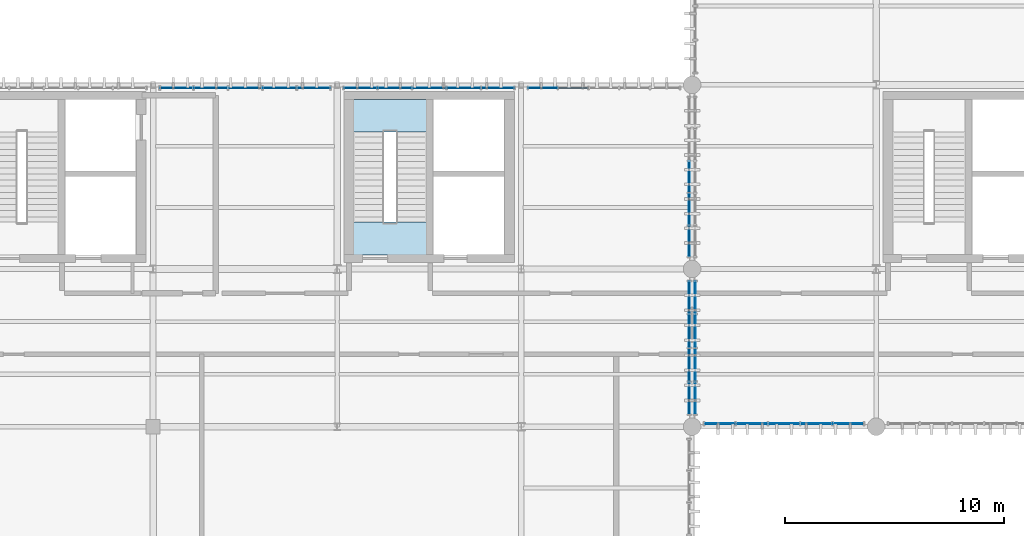
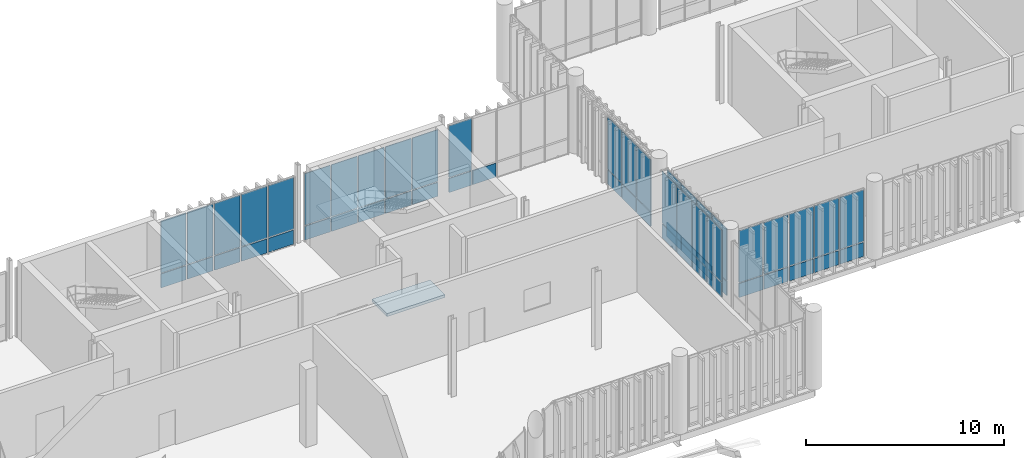
# One storey, part 68 of 94: 55 plates, 2 slabs, 8 elements without a shape of their own.
"""IFC4 building model written with IfcOpenShell, lengths in metres."""

from ifc_helpers import new_model, si_unit, direction, frame, frame_2d, origin_with_axes, place, context, subcontext, project, spatial, polyline, rectangle, outline, extrude, material, layer, layer_set, type_object, element, aggregate, save


model = new_model("IFC4")

# Units and contexts
model_context = context("Model", 3, precision=1e-05, world=origin_with_axes(), true_north=direction((0.0, 1.0)))
body_context = subcontext(model_context, "Body", "Model", "MODEL_VIEW")
ifc_project = project(units=[si_unit("LENGTHUNIT", "METRE"), si_unit("AREAUNIT", "SQUARE_METRE"), si_unit("VOLUMEUNIT", "CUBIC_METRE"), si_unit("PLANEANGLEUNIT", "RADIAN"), si_unit("MASSUNIT", "GRAM", prefix="KILO"), si_unit("THERMODYNAMICTEMPERATUREUNIT", "KELVIN")], contexts=[model_context])

# Site, building, storey
site_placement = place(None, origin_with_axes())
site = spatial("IfcSite", under=ifc_project, at=site_placement, CompositionType="ELEMENT")
building_placement = place(site_placement, origin_with_axes())
building = spatial("IfcBuilding", under=site, at=building_placement, Name="Montbau Bow Law Courts", CompositionType="ELEMENT")
storey_placement = place(building_placement, frame((0.0, 0.0, 15.6), z_axis=(0.0, 0.0, 1.0), x_axis=(1.0, 0.0, 0.0)))
storey = spatial("IfcBuildingStorey", under=building, at=storey_placement, Name="L03", CompositionType="ELEMENT", Elevation=15.6)

# Curtain wall, plates
ifc_material_1 = material(Name="Thermally Broken Extruded Aluminium AA 6063-T6", Category="aluminium")
curtain_wall_type_1 = type_object("IfcCurtainWallType", Name="CW-TRC-01", PredefinedType="NOTDEFINED", material=ifc_material_1)
curtain_wall_1_placement = place(None, frame((22.467, 54.46, 15.6), z_axis=(0.0, 0.0, 1.0), x_axis=(1.0, 0.0, 0.0)))
curtain_wall_1 = element("IfcCurtainWall", 1, at=curtain_wall_1_placement, inside=storey, type_object=curtain_wall_type_1, Name="CW-L03-057:cw_0057", PredefinedType="NOTDEFINED")
ifc_material_2 = material(Name="Triple-Glazed Low-E Argon Insulating Glass Unit", Category="glass")
ifc_layer_1 = layer(ifc_material_2, 0.044, Name="Curtain Panel", Category="glass")
ifc_layer_set_1 = layer_set([ifc_layer_1], Name="Triple-Glazed Low-E Argon Insulating Glass Unit")
plate_type_1 = type_object("IfcPlateType", Name="PL-CWP-01", PredefinedType="CURTAIN_PANEL", material=ifc_layer_set_1)
plate_1_placement = place(None, frame((22.543, 54.46, 16.579), z_axis=(0.0, -1.0, 0.0), x_axis=(1.0, 0.0, 0.0)))
plate_1 = element("IfcPlate", 2, at=plate_1_placement, type_object=plate_type_1, Name="CW-L03-057-P01-2:cw_0057_P01_2", PredefinedType="CURTAIN_PANEL", context=body_context, shape_type="SweptSolid", body=[
    extrude(rectangle(XDim=1.457, YDim=3.185, at=frame_2d((0.7285, 1.5925), x_axis=(1.0, 0.0))), frame((0.0, 0.0, -0.022), z_axis=(0.0, 0.0, 1.0), x_axis=(1.0, 0.0, 0.0)), (0.0, 0.0, 1.0), 0.044),
])
plate_2_placement = place(None, frame((24.08, 54.46, 16.579), z_axis=(0.0, -1.0, 0.0), x_axis=(1.0, 0.0, 0.0)))
plate_2 = element("IfcPlate", 3, at=plate_2_placement, type_object=plate_type_1, Name="CW-L03-057-P02-2:cw_0057_P02_2", PredefinedType="CURTAIN_PANEL", context=body_context, shape_type="SweptSolid", body=[
    extrude(rectangle(XDim=1.494, YDim=3.185, at=frame_2d((0.747, 1.5925), x_axis=(1.0, 0.0))), frame((0.0, 0.0, -0.022), z_axis=(0.0, 0.0, 1.0), x_axis=(1.0, 0.0, 0.0)), (0.0, 0.0, 1.0), 0.044),
])
plate_3_placement = place(None, frame((25.652, 54.46, 16.579), z_axis=(0.0, -1.0, 0.0), x_axis=(1.0, 0.0, 0.0)))
plate_3 = element("IfcPlate", 4, at=plate_3_placement, type_object=plate_type_1, Name="CW-L03-057-P03-2:cw_0057_P03_2", PredefinedType="CURTAIN_PANEL", context=body_context, shape_type="SweptSolid", body=[
    extrude(rectangle(XDim=1.496, YDim=3.185, at=frame_2d((0.748, 1.5925), x_axis=(1.0, 0.0))), frame((0.0, 0.0, -0.022), z_axis=(0.0, 0.0, 1.0), x_axis=(1.0, 0.0, 0.0)), (0.0, 0.0, 1.0), 0.044),
])
plate_4_placement = place(None, frame((27.226, 54.46, 16.579), z_axis=(0.0, -1.0, 0.0), x_axis=(1.0, 0.0, 0.0)))
plate_4 = element("IfcPlate", 5, at=plate_4_placement, type_object=plate_type_1, Name="CW-L03-057-P04-2:cw_0057_P04_2", PredefinedType="CURTAIN_PANEL", context=body_context, shape_type="SweptSolid", body=[
    extrude(rectangle(XDim=1.495, YDim=3.185, at=frame_2d((0.7475, 1.5925), x_axis=(1.0, 0.0))), frame((0.0, 0.0, -0.022), z_axis=(0.0, 0.0, 1.0), x_axis=(1.0, 0.0, 0.0)), (0.0, 0.0, 1.0), 0.044),
])
plate_5_placement = place(None, frame((28.799, 54.46, 16.579), z_axis=(0.0, -1.0, 0.0), x_axis=(1.0, 0.0, 0.0)))
plate_5 = element("IfcPlate", 6, at=plate_5_placement, type_object=plate_type_1, Name="CW-L03-057-P05-2:cw_0057_P05_2", PredefinedType="CURTAIN_PANEL", context=body_context, shape_type="SweptSolid", body=[
    extrude(rectangle(XDim=1.458, YDim=3.185, at=frame_2d((0.729, 1.5925), x_axis=(1.0, 0.0))), frame((0.0, 0.0, -0.022), z_axis=(0.0, 0.0, 1.0), x_axis=(1.0, 0.0, 0.0)), (0.0, 0.0, 1.0), 0.044),
])

curtain_wall_2_placement = place(None, frame((30.867, 54.46, 15.6), z_axis=(0.0, 0.0, 1.0), x_axis=(1.0, 0.0, 0.0)))
curtain_wall_2 = element("IfcCurtainWall", 7, at=curtain_wall_2_placement, inside=storey, type_object=curtain_wall_type_1, Name="CW-L03-058:cw_0058", PredefinedType="NOTDEFINED")
plate_6_placement = place(None, frame((30.935, 54.46, 16.582), z_axis=(0.0, -1.0, 0.0), x_axis=(1.0, 0.0, 0.0)))
plate_6 = element("IfcPlate", 8, at=plate_6_placement, type_object=plate_type_1, Name="CW-L03-058-P01-2:cw_0058_P01_2", PredefinedType="CURTAIN_PANEL", context=body_context, shape_type="SweptSolid", body=[
    extrude(rectangle(XDim=1.47, YDim=3.176, at=frame_2d((0.735, 1.588), x_axis=(1.0, 0.0))), frame((0.0, 0.0, -0.022), z_axis=(0.0, 0.0, 1.0), x_axis=(1.0, 0.0, 0.0)), (0.0, 0.0, 1.0), 0.044),
])
plate_7_placement = place(None, frame((32.474, 54.46, 16.582), z_axis=(0.0, -1.0, 0.0), x_axis=(1.0, 0.0, 0.0)))
plate_7 = element("IfcPlate", 9, at=plate_7_placement, type_object=plate_type_1, Name="CW-L03-058-P02-2:cw_0058_P02_2", PredefinedType="CURTAIN_PANEL", context=body_context, shape_type="SweptSolid", body=[
    extrude(rectangle(XDim=1.504, YDim=3.176, at=frame_2d((0.752, 1.588), x_axis=(1.0, 0.0))), frame((0.0, 0.0, -0.022), z_axis=(0.0, 0.0, 1.0), x_axis=(1.0, 0.0, 0.0)), (0.0, 0.0, 1.0), 0.044),
])
plate_8_placement = place(None, frame((34.047, 54.46, 16.582), z_axis=(0.0, -1.0, 0.0), x_axis=(1.0, 0.0, 0.0)))
plate_8 = element("IfcPlate", 10, at=plate_8_placement, type_object=plate_type_1, Name="CW-L03-058-P03-2:cw_0058_P03_2", PredefinedType="CURTAIN_PANEL", context=body_context, shape_type="SweptSolid", body=[
    extrude(rectangle(XDim=1.505, YDim=3.176, at=frame_2d((0.7525, 1.588), x_axis=(1.0, 0.0))), frame((0.0, 0.0, -0.022), z_axis=(0.0, 0.0, 1.0), x_axis=(1.0, 0.0, 0.0)), (0.0, 0.0, 1.0), 0.044),
])
plate_9_placement = place(None, frame((35.62, 54.46, 16.582), z_axis=(0.0, -1.0, 0.0), x_axis=(1.0, 0.0, 0.0)))
plate_9 = element("IfcPlate", 11, at=plate_9_placement, type_object=plate_type_1, Name="CW-L03-058-P04-2:cw_0058_P04_2", PredefinedType="CURTAIN_PANEL", context=body_context, shape_type="SweptSolid", body=[
    extrude(rectangle(XDim=1.505, YDim=3.176, at=frame_2d((0.7525, 1.588), x_axis=(1.0, 0.0))), frame((0.0, 0.0, -0.022), z_axis=(0.0, 0.0, 1.0), x_axis=(1.0, 0.0, 0.0)), (0.0, 0.0, 1.0), 0.044),
])
plate_10_placement = place(None, frame((37.193, 54.46, 16.582), z_axis=(0.0, -1.0, 0.0), x_axis=(1.0, 0.0, 0.0)))
plate_10 = element("IfcPlate", 12, at=plate_10_placement, type_object=plate_type_1, Name="CW-L03-058-P05-2:cw_0058_P05_2", PredefinedType="CURTAIN_PANEL", context=body_context, shape_type="SweptSolid", body=[
    extrude(rectangle(XDim=1.472, YDim=3.176, at=frame_2d((0.736, 1.588), x_axis=(1.0, 0.0))), frame((0.0, 0.0, -0.022), z_axis=(0.0, 0.0, 1.0), x_axis=(1.0, 0.0, 0.0)), (0.0, 0.0, 1.0), 0.044),
])

# Curtain wall, plate
curtain_wall_3_placement = place(None, frame((39.268, 54.46, 15.6), z_axis=(0.0, 0.0, 1.0), x_axis=(1.0, 0.0, 0.0)))
curtain_wall_3 = element("IfcCurtainWall", 13, at=curtain_wall_3_placement, inside=storey, type_object=curtain_wall_type_1, Name="CW-L03-059:cw_0059", PredefinedType="NOTDEFINED")
plate_11_placement = place(None, frame((39.33, 54.46, 16.579), z_axis=(0.0, -1.0, 0.0), x_axis=(1.0, 0.0, 0.0)))
plate_11 = element("IfcPlate", 14, at=plate_11_placement, type_object=plate_type_1, Name="CW-L03-059-P01-2:cw_0059_P01_2", PredefinedType="CURTAIN_PANEL", context=body_context, shape_type="SweptSolid", body=[
    extrude(rectangle(XDim=1.309, YDim=3.185, at=frame_2d((0.6545, 1.5925), x_axis=(1.0, 0.0))), frame((0.0, 0.0, -0.022), z_axis=(0.0, 0.0, 1.0), x_axis=(1.0, 0.0, 0.0)), (0.0, 0.0, 1.0), 0.044),
])

# Curtain wall, plates
curtain_wall_4_placement = place(None, frame((46.66, 39.515, 15.6), z_axis=(0.0, 0.0, 1.0), x_axis=(1.0, 0.0, 0.0)))
curtain_wall_4 = element("IfcCurtainWall", 15, at=curtain_wall_4_placement, inside=storey, type_object=curtain_wall_type_1, Name="CW-L03-064:cw_0064", PredefinedType="NOTDEFINED")
plate_12_placement = place(None, frame((46.66, 39.583, 16.582), z_axis=(1.0, 0.0, 0.0), x_axis=(0.0, 1.0, 0.0)))
plate_12 = element("IfcPlate", 16, at=plate_12_placement, type_object=plate_type_1, Name="CW-L03-064-P01-2:cw_0064_P01_2", PredefinedType="CURTAIN_PANEL", context=body_context, shape_type="SweptSolid", body=[
    extrude(rectangle(XDim=1.44, YDim=3.176, at=frame_2d((0.72, 1.588), x_axis=(1.0, 0.0))), frame((0.0, 0.0, -0.022), z_axis=(0.0, 0.0, 1.0), x_axis=(1.0, 0.0, 0.0)), (0.0, 0.0, 1.0), 0.044),
])
plate_13_placement = place(None, frame((46.66, 41.092, 16.582), z_axis=(1.0, 0.0, 0.0), x_axis=(0.0, 1.0, 0.0)))
plate_13 = element("IfcPlate", 17, at=plate_13_placement, type_object=plate_type_1, Name="CW-L03-064-P02-2:cw_0064_P02_2", PredefinedType="CURTAIN_PANEL", context=body_context, shape_type="SweptSolid", body=[
    extrude(rectangle(XDim=1.473, YDim=3.176, at=frame_2d((0.7365, 1.588), x_axis=(1.0, 0.0))), frame((0.0, 0.0, -0.022), z_axis=(0.0, 0.0, 1.0), x_axis=(1.0, 0.0, 0.0)), (0.0, 0.0, 1.0), 0.044),
])
plate_14_placement = place(None, frame((46.66, 42.634, 16.582), z_axis=(1.0, 0.0, 0.0), x_axis=(0.0, 1.0, 0.0)))
plate_14 = element("IfcPlate", 18, at=plate_14_placement, type_object=plate_type_1, Name="CW-L03-064-P03-2:cw_0064_P03_2", PredefinedType="CURTAIN_PANEL", context=body_context, shape_type="SweptSolid", body=[
    extrude(rectangle(XDim=1.475, YDim=3.176, at=frame_2d((0.7375, 1.588), x_axis=(1.0, 0.0))), frame((0.0, 0.0, -0.022), z_axis=(0.0, 0.0, 1.0), x_axis=(1.0, 0.0, 0.0)), (0.0, 0.0, 1.0), 0.044),
])
plate_15_placement = place(None, frame((46.66, 44.177, 16.582), z_axis=(1.0, 0.0, 0.0), x_axis=(0.0, 1.0, 0.0)))
plate_15 = element("IfcPlate", 19, at=plate_15_placement, type_object=plate_type_1, Name="CW-L03-064-P04-2:cw_0064_P04_2", PredefinedType="CURTAIN_PANEL", context=body_context, shape_type="SweptSolid", body=[
    extrude(rectangle(XDim=1.442, YDim=3.176, at=frame_2d((0.721, 1.588), x_axis=(1.0, 0.0))), frame((0.0, 0.0, -0.022), z_axis=(0.0, 0.0, 1.0), x_axis=(1.0, 0.0, 0.0)), (0.0, 0.0, 1.0), 0.044),
])

curtain_wall_5_placement = place(None, frame((46.66, 46.715, 15.6), z_axis=(0.0, 0.0, 1.0), x_axis=(1.0, 0.0, 0.0)))
curtain_wall_5 = element("IfcCurtainWall", 20, at=curtain_wall_5_placement, inside=storey, type_object=curtain_wall_type_1, Name="CW-L03-065:cw_0065", PredefinedType="NOTDEFINED")
plate_16_placement = place(None, frame((46.66, 46.777, 16.579), z_axis=(1.0, 0.0, 0.0), x_axis=(0.0, 1.0, 0.0)))
plate_16 = element("IfcPlate", 21, at=plate_16_placement, type_object=plate_type_1, Name="CW-L03-065-P01-2:cw_0065_P01_2", PredefinedType="CURTAIN_PANEL", context=body_context, shape_type="SweptSolid", body=[
    extrude(rectangle(XDim=1.38, YDim=3.185, at=frame_2d((0.69, 1.5925), x_axis=(1.0, 0.0))), frame((0.0, 0.0, -0.022), z_axis=(0.0, 0.0, 1.0), x_axis=(1.0, 0.0, 0.0)), (0.0, 0.0, 1.0), 0.044),
])
plate_17_placement = place(None, frame((46.66, 48.221, 16.579), z_axis=(1.0, 0.0, 0.0), x_axis=(0.0, 1.0, 0.0)))
plate_17 = element("IfcPlate", 22, at=plate_17_placement, type_object=plate_type_1, Name="CW-L03-065-P02-2:cw_0065_P02_2", PredefinedType="CURTAIN_PANEL", context=body_context, shape_type="SweptSolid", body=[
    extrude(rectangle(XDim=1.41, YDim=3.185, at=frame_2d((0.705, 1.5925), x_axis=(1.0, 0.0))), frame((0.0, 0.0, -0.022), z_axis=(0.0, 0.0, 1.0), x_axis=(1.0, 0.0, 0.0)), (0.0, 0.0, 1.0), 0.044),
])
plate_18_placement = place(None, frame((46.66, 49.695, 16.579), z_axis=(1.0, 0.0, 0.0), x_axis=(0.0, 1.0, 0.0)))
plate_18 = element("IfcPlate", 23, at=plate_18_placement, type_object=plate_type_1, Name="CW-L03-065-P03-2:cw_0065_P03_2", PredefinedType="CURTAIN_PANEL", context=body_context, shape_type="SweptSolid", body=[
    extrude(rectangle(XDim=1.41, YDim=3.185, at=frame_2d((0.705, 1.5925), x_axis=(1.0, 0.0))), frame((0.0, 0.0, -0.022), z_axis=(0.0, 0.0, 1.0), x_axis=(1.0, 0.0, 0.0)), (0.0, 0.0, 1.0), 0.044),
])

curtain_wall_type_2 = type_object("IfcCurtainWallType", Name="CW-CRM-01", PredefinedType="NOTDEFINED", material=ifc_material_1)
curtain_wall_6_placement = place(None, frame((47.315, 39.14, 15.6), z_axis=(0.0, 0.0, 1.0), x_axis=(1.0, 0.0, 0.0)))
curtain_wall_6 = element("IfcCurtainWall", 24, at=curtain_wall_6_placement, inside=storey, type_object=curtain_wall_type_2, Name="CW-L03-175:cw_0175", PredefinedType="NOTDEFINED")
plate_19_placement = place(None, frame((47.383, 39.14, 16.579), z_axis=(0.0, -1.0, 0.0), x_axis=(1.0, 0.0, 0.0)))
plate_19 = element("IfcPlate", 25, at=plate_19_placement, type_object=plate_type_1, Name="CW-L03-175-P01-2:cw_0175_P01_2", PredefinedType="CURTAIN_PANEL", context=body_context, shape_type="SweptSolid", body=[
    extrude(rectangle(XDim=1.372, YDim=3.185, at=frame_2d((0.686, 1.5925), x_axis=(1.0, 0.0))), frame((0.0, 0.0, -0.022), z_axis=(0.0, 0.0, 1.0), x_axis=(1.0, 0.0, 0.0)), (0.0, 0.0, 1.0), 0.044),
])
plate_20_placement = place(None, frame((48.823, 39.14, 16.579), z_axis=(0.0, -1.0, 0.0), x_axis=(1.0, 0.0, 0.0)))
plate_20 = element("IfcPlate", 26, at=plate_20_placement, type_object=plate_type_1, Name="CW-L03-175-P02-2:cw_0175_P02_2", PredefinedType="CURTAIN_PANEL", context=body_context, shape_type="SweptSolid", body=[
    extrude(rectangle(XDim=1.405, YDim=3.185, at=frame_2d((0.7025, 1.5925), x_axis=(1.0, 0.0))), frame((0.0, 0.0, -0.022), z_axis=(0.0, 0.0, 1.0), x_axis=(1.0, 0.0, 0.0)), (0.0, 0.0, 1.0), 0.044),
])
plate_21_placement = place(None, frame((50.297, 39.14, 16.579), z_axis=(0.0, -1.0, 0.0), x_axis=(1.0, 0.0, 0.0)))
plate_21 = element("IfcPlate", 27, at=plate_21_placement, type_object=plate_type_1, Name="CW-L03-175-P03-2:cw_0175_P03_2", PredefinedType="CURTAIN_PANEL", context=body_context, shape_type="SweptSolid", body=[
    extrude(rectangle(XDim=1.406, YDim=3.185, at=frame_2d((0.703, 1.5925), x_axis=(1.0, 0.0))), frame((0.0, 0.0, -0.022), z_axis=(0.0, 0.0, 1.0), x_axis=(1.0, 0.0, 0.0)), (0.0, 0.0, 1.0), 0.044),
])
plate_22_placement = place(None, frame((51.771, 39.14, 16.579), z_axis=(0.0, -1.0, 0.0), x_axis=(1.0, 0.0, 0.0)))
plate_22 = element("IfcPlate", 28, at=plate_22_placement, type_object=plate_type_1, Name="CW-L03-175-P04-2:cw_0175_P04_2", PredefinedType="CURTAIN_PANEL", context=body_context, shape_type="SweptSolid", body=[
    extrude(rectangle(XDim=1.406, YDim=3.185, at=frame_2d((0.703, 1.5925), x_axis=(1.0, 0.0))), frame((0.0, 0.0, -0.022), z_axis=(0.0, 0.0, 1.0), x_axis=(1.0, 0.0, 0.0)), (0.0, 0.0, 1.0), 0.044),
])
plate_23_placement = place(None, frame((53.245, 39.14, 16.579), z_axis=(0.0, -1.0, 0.0), x_axis=(1.0, 0.0, 0.0)))
plate_23 = element("IfcPlate", 29, at=plate_23_placement, type_object=plate_type_1, Name="CW-L03-175-P05-2:cw_0175_P05_2", PredefinedType="CURTAIN_PANEL", context=body_context, shape_type="SweptSolid", body=[
    extrude(rectangle(XDim=1.374, YDim=3.185, at=frame_2d((0.687, 1.5925), x_axis=(1.0, 0.0))), frame((0.0, 0.0, -0.022), z_axis=(0.0, 0.0, 1.0), x_axis=(1.0, 0.0, 0.0)), (0.0, 0.0, 1.0), 0.044),
])

curtain_wall_7_placement = place(None, frame((46.94, 39.515, 15.6), z_axis=(0.0, 0.0, 1.0), x_axis=(1.0, 0.0, 0.0)))
curtain_wall_7 = element("IfcCurtainWall", 30, at=curtain_wall_7_placement, inside=storey, type_object=curtain_wall_type_2, Name="CW-L03-187:cw_0187", PredefinedType="NOTDEFINED")
plate_24_placement = place(None, frame((46.94, 39.583, 16.579), z_axis=(1.0, 0.0, 0.0), x_axis=(0.0, 1.0, 0.0)))
plate_24 = element("IfcPlate", 31, at=plate_24_placement, type_object=plate_type_1, Name="CW-L03-187-P01-2:cw_0187_P01_2", PredefinedType="CURTAIN_PANEL", context=body_context, shape_type="SweptSolid", body=[
    extrude(rectangle(XDim=1.44, YDim=3.185, at=frame_2d((0.72, 1.5925), x_axis=(1.0, 0.0))), frame((0.0, 0.0, -0.022), z_axis=(0.0, 0.0, 1.0), x_axis=(1.0, 0.0, 0.0)), (0.0, 0.0, 1.0), 0.044),
])
plate_25_placement = place(None, frame((46.94, 41.092, 16.579), z_axis=(1.0, 0.0, 0.0), x_axis=(0.0, 1.0, 0.0)))
plate_25 = element("IfcPlate", 32, at=plate_25_placement, type_object=plate_type_1, Name="CW-L03-187-P02-2:cw_0187_P02_2", PredefinedType="CURTAIN_PANEL", context=body_context, shape_type="SweptSolid", body=[
    extrude(rectangle(XDim=1.473, YDim=3.185, at=frame_2d((0.7365, 1.5925), x_axis=(1.0, 0.0))), frame((0.0, 0.0, -0.022), z_axis=(0.0, 0.0, 1.0), x_axis=(1.0, 0.0, 0.0)), (0.0, 0.0, 1.0), 0.044),
])
plate_26_placement = place(None, frame((46.94, 42.634, 16.579), z_axis=(1.0, 0.0, 0.0), x_axis=(0.0, 1.0, 0.0)))
plate_26 = element("IfcPlate", 33, at=plate_26_placement, type_object=plate_type_1, Name="CW-L03-187-P03-2:cw_0187_P03_2", PredefinedType="CURTAIN_PANEL", context=body_context, shape_type="SweptSolid", body=[
    extrude(rectangle(XDim=1.475, YDim=3.185, at=frame_2d((0.7375, 1.5925), x_axis=(1.0, 0.0))), frame((0.0, 0.0, -0.022), z_axis=(0.0, 0.0, 1.0), x_axis=(1.0, 0.0, 0.0)), (0.0, 0.0, 1.0), 0.044),
])
plate_27_placement = place(None, frame((46.94, 44.177, 16.579), z_axis=(1.0, 0.0, 0.0), x_axis=(0.0, 1.0, 0.0)))
plate_27 = element("IfcPlate", 34, at=plate_27_placement, type_object=plate_type_1, Name="CW-L03-187-P04-2:cw_0187_P04_2", PredefinedType="CURTAIN_PANEL", context=body_context, shape_type="SweptSolid", body=[
    extrude(rectangle(XDim=1.442, YDim=3.185, at=frame_2d((0.721, 1.5925), x_axis=(1.0, 0.0))), frame((0.0, 0.0, -0.022), z_axis=(0.0, 0.0, 1.0), x_axis=(1.0, 0.0, 0.0)), (0.0, 0.0, 1.0), 0.044),
])

# Plate
ifc_material_3 = material(Name="Insulated Ceramic-Frit Spandrel Glazing Unit", Category="glass")
ifc_layer_2 = layer(ifc_material_3, 0.056, Name="Curtain Panel", Category="glass")
ifc_layer_set_2 = layer_set([ifc_layer_2], Name="Insulated Ceramic-Frit Spandrel Glazing Unit")
plate_type_2 = type_object("IfcPlateType", Name="PL-CWP-02", PredefinedType="CURTAIN_PANEL", material=ifc_layer_set_2)
plate_28_placement = place(None, frame((22.543, 54.46, 15.657), z_axis=(0.0, -1.0, 0.0), x_axis=(1.0, 0.0, 0.0)))
plate_28 = element("IfcPlate", 35, at=plate_28_placement, type_object=plate_type_2, Name="CW-L03-057-P01-1:cw_0057_P01_1", PredefinedType="CURTAIN_PANEL", context=body_context, shape_type="SweptSolid", body=[
    extrude(rectangle(XDim=1.457, YDim=0.864, at=frame_2d((0.7285, 0.432), x_axis=(1.0, 0.0))), frame((0.0, 0.0, -0.028), z_axis=(0.0, 0.0, 1.0), x_axis=(1.0, 0.0, 0.0)), (0.0, 0.0, 1.0), 0.056),
])

plate_29_placement = place(None, frame((24.08, 54.46, 15.657), z_axis=(0.0, -1.0, 0.0), x_axis=(1.0, 0.0, 0.0)))
plate_29 = element("IfcPlate", 36, at=plate_29_placement, type_object=plate_type_2, Name="CW-L03-057-P02-1:cw_0057_P02_1", PredefinedType="CURTAIN_PANEL", context=body_context, shape_type="SweptSolid", body=[
    extrude(rectangle(XDim=1.494, YDim=0.864, at=frame_2d((0.747, 0.432), x_axis=(1.0, 0.0))), frame((0.0, 0.0, -0.028), z_axis=(0.0, 0.0, 1.0), x_axis=(1.0, 0.0, 0.0)), (0.0, 0.0, 1.0), 0.056),
])

plate_30_placement = place(None, frame((25.652, 54.46, 15.657), z_axis=(0.0, -1.0, 0.0), x_axis=(1.0, 0.0, 0.0)))
plate_30 = element("IfcPlate", 37, at=plate_30_placement, type_object=plate_type_2, Name="CW-L03-057-P03-1:cw_0057_P03_1", PredefinedType="CURTAIN_PANEL", context=body_context, shape_type="SweptSolid", body=[
    extrude(rectangle(XDim=1.496, YDim=0.864, at=frame_2d((0.748, 0.432), x_axis=(1.0, 0.0))), frame((0.0, 0.0, -0.028), z_axis=(0.0, 0.0, 1.0), x_axis=(1.0, 0.0, 0.0)), (0.0, 0.0, 1.0), 0.056),
])

plate_31_placement = place(None, frame((27.226, 54.46, 15.657), z_axis=(0.0, -1.0, 0.0), x_axis=(1.0, 0.0, 0.0)))
plate_31 = element("IfcPlate", 38, at=plate_31_placement, type_object=plate_type_2, Name="CW-L03-057-P04-1:cw_0057_P04_1", PredefinedType="CURTAIN_PANEL", context=body_context, shape_type="SweptSolid", body=[
    extrude(rectangle(XDim=1.495, YDim=0.864, at=frame_2d((0.7475, 0.432), x_axis=(1.0, 0.0))), frame((0.0, 0.0, -0.028), z_axis=(0.0, 0.0, 1.0), x_axis=(1.0, 0.0, 0.0)), (0.0, 0.0, 1.0), 0.056),
])

plate_32_placement = place(None, frame((28.799, 54.46, 15.657), z_axis=(0.0, -1.0, 0.0), x_axis=(1.0, 0.0, 0.0)))
plate_32 = element("IfcPlate", 39, at=plate_32_placement, type_object=plate_type_2, Name="CW-L03-057-P05-1:cw_0057_P05_1", PredefinedType="CURTAIN_PANEL", context=body_context, shape_type="SweptSolid", body=[
    extrude(rectangle(XDim=1.458, YDim=0.864, at=frame_2d((0.729, 0.432), x_axis=(1.0, 0.0))), frame((0.0, 0.0, -0.028), z_axis=(0.0, 0.0, 1.0), x_axis=(1.0, 0.0, 0.0)), (0.0, 0.0, 1.0), 0.056),
])

aggregate(curtain_wall_1, [plate_28, plate_1, plate_29, plate_2, plate_30, plate_3, plate_31, plate_4, plate_32, plate_5])

plate_33_placement = place(None, frame((30.935, 54.46, 15.662), z_axis=(0.0, -1.0, 0.0), x_axis=(1.0, 0.0, 0.0)))
plate_33 = element("IfcPlate", 40, at=plate_33_placement, type_object=plate_type_2, Name="CW-L03-058-P01-1:cw_0058_P01_1", PredefinedType="CURTAIN_PANEL", context=body_context, shape_type="SweptSolid", body=[
    extrude(rectangle(XDim=1.47, YDim=0.856, at=frame_2d((0.735, 0.428), x_axis=(1.0, 0.0))), frame((0.0, 0.0, -0.028), z_axis=(0.0, 0.0, 1.0), x_axis=(1.0, 0.0, 0.0)), (0.0, 0.0, 1.0), 0.056),
])

plate_34_placement = place(None, frame((32.474, 54.46, 15.662), z_axis=(0.0, -1.0, 0.0), x_axis=(1.0, 0.0, 0.0)))
plate_34 = element("IfcPlate", 41, at=plate_34_placement, type_object=plate_type_2, Name="CW-L03-058-P02-1:cw_0058_P02_1", PredefinedType="CURTAIN_PANEL", context=body_context, shape_type="SweptSolid", body=[
    extrude(rectangle(XDim=1.504, YDim=0.856, at=frame_2d((0.752, 0.428), x_axis=(1.0, 0.0))), frame((0.0, 0.0, -0.028), z_axis=(0.0, 0.0, 1.0), x_axis=(1.0, 0.0, 0.0)), (0.0, 0.0, 1.0), 0.056),
])

plate_35_placement = place(None, frame((34.047, 54.46, 15.662), z_axis=(0.0, -1.0, 0.0), x_axis=(1.0, 0.0, 0.0)))
plate_35 = element("IfcPlate", 42, at=plate_35_placement, type_object=plate_type_2, Name="CW-L03-058-P03-1:cw_0058_P03_1", PredefinedType="CURTAIN_PANEL", context=body_context, shape_type="SweptSolid", body=[
    extrude(rectangle(XDim=1.505, YDim=0.856, at=frame_2d((0.7525, 0.428), x_axis=(1.0, 0.0))), frame((0.0, 0.0, -0.028), z_axis=(0.0, 0.0, 1.0), x_axis=(1.0, 0.0, 0.0)), (0.0, 0.0, 1.0), 0.056),
])

plate_36_placement = place(None, frame((35.62, 54.46, 15.662), z_axis=(0.0, -1.0, 0.0), x_axis=(1.0, 0.0, 0.0)))
plate_36 = element("IfcPlate", 43, at=plate_36_placement, type_object=plate_type_2, Name="CW-L03-058-P04-1:cw_0058_P04_1", PredefinedType="CURTAIN_PANEL", context=body_context, shape_type="SweptSolid", body=[
    extrude(rectangle(XDim=1.505, YDim=0.856, at=frame_2d((0.7525, 0.428), x_axis=(1.0, 0.0))), frame((0.0, 0.0, -0.028), z_axis=(0.0, 0.0, 1.0), x_axis=(1.0, 0.0, 0.0)), (0.0, 0.0, 1.0), 0.056),
])

plate_37_placement = place(None, frame((37.193, 54.46, 15.662), z_axis=(0.0, -1.0, 0.0), x_axis=(1.0, 0.0, 0.0)))
plate_37 = element("IfcPlate", 44, at=plate_37_placement, type_object=plate_type_2, Name="CW-L03-058-P05-1:cw_0058_P05_1", PredefinedType="CURTAIN_PANEL", context=body_context, shape_type="SweptSolid", body=[
    extrude(rectangle(XDim=1.472, YDim=0.856, at=frame_2d((0.736, 0.428), x_axis=(1.0, 0.0))), frame((0.0, 0.0, -0.028), z_axis=(0.0, 0.0, 1.0), x_axis=(1.0, 0.0, 0.0)), (0.0, 0.0, 1.0), 0.056),
])

aggregate(curtain_wall_2, [plate_33, plate_6, plate_34, plate_7, plate_35, plate_8, plate_36, plate_9, plate_37, plate_10])

plate_38_placement = place(None, frame((39.33, 54.46, 15.657), z_axis=(0.0, -1.0, 0.0), x_axis=(1.0, 0.0, 0.0)))
plate_38 = element("IfcPlate", 45, at=plate_38_placement, type_object=plate_type_2, Name="CW-L03-059-P01-1:cw_0059_P01_1", PredefinedType="CURTAIN_PANEL", context=body_context, shape_type="SweptSolid", body=[
    extrude(rectangle(XDim=1.309, YDim=0.864, at=frame_2d((0.6545, 0.432), x_axis=(1.0, 0.0))), frame((0.0, 0.0, -0.028), z_axis=(0.0, 0.0, 1.0), x_axis=(1.0, 0.0, 0.0)), (0.0, 0.0, 1.0), 0.056),
])

plate_39_placement = place(None, frame((40.703, 54.46, 15.657), z_axis=(0.0, -1.0, 0.0), x_axis=(1.0, 0.0, 0.0)))
plate_39 = element("IfcPlate", 46, at=plate_39_placement, type_object=plate_type_2, Name="CW-L03-059-P02-1:cw_0059_P02_1", PredefinedType="CURTAIN_PANEL", context=body_context, shape_type="SweptSolid", body=[
    extrude(rectangle(XDim=1.34, YDim=0.864, at=frame_2d((0.67, 0.432), x_axis=(1.0, 0.0))), frame((0.0, 0.0, -0.028), z_axis=(0.0, 0.0, 1.0), x_axis=(1.0, 0.0, 0.0)), (0.0, 0.0, 1.0), 0.056),
])

aggregate(curtain_wall_3, [plate_38, plate_11, plate_39])

plate_40_placement = place(None, frame((46.66, 39.583, 15.662), z_axis=(1.0, 0.0, 0.0), x_axis=(0.0, 1.0, 0.0)))
plate_40 = element("IfcPlate", 47, at=plate_40_placement, type_object=plate_type_2, Name="CW-L03-064-P01-1:cw_0064_P01_1", PredefinedType="CURTAIN_PANEL", context=body_context, shape_type="SweptSolid", body=[
    extrude(rectangle(XDim=1.44, YDim=0.856, at=frame_2d((0.72, 0.428), x_axis=(1.0, 0.0))), frame((0.0, 0.0, -0.028), z_axis=(0.0, 0.0, 1.0), x_axis=(1.0, 0.0, 0.0)), (0.0, 0.0, 1.0), 0.056),
])

plate_41_placement = place(None, frame((46.66, 41.092, 15.662), z_axis=(1.0, 0.0, 0.0), x_axis=(0.0, 1.0, 0.0)))
plate_41 = element("IfcPlate", 48, at=plate_41_placement, type_object=plate_type_2, Name="CW-L03-064-P02-1:cw_0064_P02_1", PredefinedType="CURTAIN_PANEL", context=body_context, shape_type="SweptSolid", body=[
    extrude(rectangle(XDim=1.473, YDim=0.856, at=frame_2d((0.7365, 0.428), x_axis=(1.0, 0.0))), frame((0.0, 0.0, -0.028), z_axis=(0.0, 0.0, 1.0), x_axis=(1.0, 0.0, 0.0)), (0.0, 0.0, 1.0), 0.056),
])

plate_42_placement = place(None, frame((46.66, 42.634, 15.662), z_axis=(1.0, 0.0, 0.0), x_axis=(0.0, 1.0, 0.0)))
plate_42 = element("IfcPlate", 49, at=plate_42_placement, type_object=plate_type_2, Name="CW-L03-064-P03-1:cw_0064_P03_1", PredefinedType="CURTAIN_PANEL", context=body_context, shape_type="SweptSolid", body=[
    extrude(rectangle(XDim=1.475, YDim=0.856, at=frame_2d((0.7375, 0.428), x_axis=(1.0, 0.0))), frame((0.0, 0.0, -0.028), z_axis=(0.0, 0.0, 1.0), x_axis=(1.0, 0.0, 0.0)), (0.0, 0.0, 1.0), 0.056),
])

plate_43_placement = place(None, frame((46.66, 44.177, 15.662), z_axis=(1.0, 0.0, 0.0), x_axis=(0.0, 1.0, 0.0)))
plate_43 = element("IfcPlate", 50, at=plate_43_placement, type_object=plate_type_2, Name="CW-L03-064-P04-1:cw_0064_P04_1", PredefinedType="CURTAIN_PANEL", context=body_context, shape_type="SweptSolid", body=[
    extrude(rectangle(XDim=1.442, YDim=0.856, at=frame_2d((0.721, 0.428), x_axis=(1.0, 0.0))), frame((0.0, 0.0, -0.028), z_axis=(0.0, 0.0, 1.0), x_axis=(1.0, 0.0, 0.0)), (0.0, 0.0, 1.0), 0.056),
])

aggregate(curtain_wall_4, [plate_40, plate_12, plate_41, plate_13, plate_42, plate_14, plate_43, plate_15])

plate_44_placement = place(None, frame((46.66, 46.777, 15.657), z_axis=(1.0, 0.0, 0.0), x_axis=(0.0, 1.0, 0.0)))
plate_44 = element("IfcPlate", 51, at=plate_44_placement, type_object=plate_type_2, Name="CW-L03-065-P01-1:cw_0065_P01_1", PredefinedType="CURTAIN_PANEL", context=body_context, shape_type="SweptSolid", body=[
    extrude(rectangle(XDim=1.38, YDim=0.864, at=frame_2d((0.69, 0.432), x_axis=(1.0, 0.0))), frame((0.0, 0.0, -0.028), z_axis=(0.0, 0.0, 1.0), x_axis=(1.0, 0.0, 0.0)), (0.0, 0.0, 1.0), 0.056),
])

plate_45_placement = place(None, frame((46.66, 48.221, 15.657), z_axis=(1.0, 0.0, 0.0), x_axis=(0.0, 1.0, 0.0)))
plate_45 = element("IfcPlate", 52, at=plate_45_placement, type_object=plate_type_2, Name="CW-L03-065-P02-1:cw_0065_P02_1", PredefinedType="CURTAIN_PANEL", context=body_context, shape_type="SweptSolid", body=[
    extrude(rectangle(XDim=1.41, YDim=0.864, at=frame_2d((0.705, 0.432), x_axis=(1.0, 0.0))), frame((0.0, 0.0, -0.028), z_axis=(0.0, 0.0, 1.0), x_axis=(1.0, 0.0, 0.0)), (0.0, 0.0, 1.0), 0.056),
])

plate_46_placement = place(None, frame((46.66, 49.695, 15.657), z_axis=(1.0, 0.0, 0.0), x_axis=(0.0, 1.0, 0.0)))
plate_46 = element("IfcPlate", 53, at=plate_46_placement, type_object=plate_type_2, Name="CW-L03-065-P03-1:cw_0065_P03_1", PredefinedType="CURTAIN_PANEL", context=body_context, shape_type="SweptSolid", body=[
    extrude(rectangle(XDim=1.41, YDim=0.864, at=frame_2d((0.705, 0.432), x_axis=(1.0, 0.0))), frame((0.0, 0.0, -0.028), z_axis=(0.0, 0.0, 1.0), x_axis=(1.0, 0.0, 0.0)), (0.0, 0.0, 1.0), 0.056),
])

aggregate(curtain_wall_5, [plate_44, plate_16, plate_45, plate_17, plate_46, plate_18])

plate_47_placement = place(None, frame((47.383, 39.14, 15.657), z_axis=(0.0, -1.0, 0.0), x_axis=(1.0, 0.0, 0.0)))
plate_47 = element("IfcPlate", 54, at=plate_47_placement, type_object=plate_type_2, Name="CW-L03-175-P01-1:cw_0175_P01_1", PredefinedType="CURTAIN_PANEL", context=body_context, shape_type="SweptSolid", body=[
    extrude(rectangle(XDim=1.372, YDim=0.864, at=frame_2d((0.686, 0.432), x_axis=(1.0, 0.0))), frame((0.0, 0.0, -0.028), z_axis=(0.0, 0.0, 1.0), x_axis=(1.0, 0.0, 0.0)), (0.0, 0.0, 1.0), 0.056),
])

plate_48_placement = place(None, frame((48.823, 39.14, 15.657), z_axis=(0.0, -1.0, 0.0), x_axis=(1.0, 0.0, 0.0)))
plate_48 = element("IfcPlate", 55, at=plate_48_placement, type_object=plate_type_2, Name="CW-L03-175-P02-1:cw_0175_P02_1", PredefinedType="CURTAIN_PANEL", context=body_context, shape_type="SweptSolid", body=[
    extrude(rectangle(XDim=1.405, YDim=0.864, at=frame_2d((0.7025, 0.432), x_axis=(1.0, 0.0))), frame((0.0, 0.0, -0.028), z_axis=(0.0, 0.0, 1.0), x_axis=(1.0, 0.0, 0.0)), (0.0, 0.0, 1.0), 0.056),
])

plate_49_placement = place(None, frame((50.297, 39.14, 15.657), z_axis=(0.0, -1.0, 0.0), x_axis=(1.0, 0.0, 0.0)))
plate_49 = element("IfcPlate", 56, at=plate_49_placement, type_object=plate_type_2, Name="CW-L03-175-P03-1:cw_0175_P03_1", PredefinedType="CURTAIN_PANEL", context=body_context, shape_type="SweptSolid", body=[
    extrude(rectangle(XDim=1.406, YDim=0.864, at=frame_2d((0.703, 0.432), x_axis=(1.0, 0.0))), frame((0.0, 0.0, -0.028), z_axis=(0.0, 0.0, 1.0), x_axis=(1.0, 0.0, 0.0)), (0.0, 0.0, 1.0), 0.056),
])

plate_50_placement = place(None, frame((51.771, 39.14, 15.657), z_axis=(0.0, -1.0, 0.0), x_axis=(1.0, 0.0, 0.0)))
plate_50 = element("IfcPlate", 57, at=plate_50_placement, type_object=plate_type_2, Name="CW-L03-175-P04-1:cw_0175_P04_1", PredefinedType="CURTAIN_PANEL", context=body_context, shape_type="SweptSolid", body=[
    extrude(rectangle(XDim=1.406, YDim=0.864, at=frame_2d((0.703, 0.432), x_axis=(1.0, 0.0))), frame((0.0, 0.0, -0.028), z_axis=(0.0, 0.0, 1.0), x_axis=(1.0, 0.0, 0.0)), (0.0, 0.0, 1.0), 0.056),
])

plate_51_placement = place(None, frame((53.245, 39.14, 15.657), z_axis=(0.0, -1.0, 0.0), x_axis=(1.0, 0.0, 0.0)))
plate_51 = element("IfcPlate", 58, at=plate_51_placement, type_object=plate_type_2, Name="CW-L03-175-P05-1:cw_0175_P05_1", PredefinedType="CURTAIN_PANEL", context=body_context, shape_type="SweptSolid", body=[
    extrude(rectangle(XDim=1.374, YDim=0.864, at=frame_2d((0.687, 0.432), x_axis=(1.0, 0.0))), frame((0.0, 0.0, -0.028), z_axis=(0.0, 0.0, 1.0), x_axis=(1.0, 0.0, 0.0)), (0.0, 0.0, 1.0), 0.056),
])

aggregate(curtain_wall_6, [plate_47, plate_19, plate_48, plate_20, plate_49, plate_21, plate_50, plate_22, plate_51, plate_23])

plate_52_placement = place(None, frame((46.94, 39.583, 15.657), z_axis=(1.0, 0.0, 0.0), x_axis=(0.0, 1.0, 0.0)))
plate_52 = element("IfcPlate", 59, at=plate_52_placement, type_object=plate_type_2, Name="CW-L03-187-P01-1:cw_0187_P01_1", PredefinedType="CURTAIN_PANEL", context=body_context, shape_type="SweptSolid", body=[
    extrude(rectangle(XDim=1.44, YDim=0.864, at=frame_2d((0.72, 0.432), x_axis=(1.0, 0.0))), frame((0.0, 0.0, -0.028), z_axis=(0.0, 0.0, 1.0), x_axis=(1.0, 0.0, 0.0)), (0.0, 0.0, 1.0), 0.056),
])

plate_53_placement = place(None, frame((46.94, 41.092, 15.657), z_axis=(1.0, 0.0, 0.0), x_axis=(0.0, 1.0, 0.0)))
plate_53 = element("IfcPlate", 60, at=plate_53_placement, type_object=plate_type_2, Name="CW-L03-187-P02-1:cw_0187_P02_1", PredefinedType="CURTAIN_PANEL", context=body_context, shape_type="SweptSolid", body=[
    extrude(rectangle(XDim=1.473, YDim=0.864, at=frame_2d((0.7365, 0.432), x_axis=(1.0, 0.0))), frame((0.0, 0.0, -0.028), z_axis=(0.0, 0.0, 1.0), x_axis=(1.0, 0.0, 0.0)), (0.0, 0.0, 1.0), 0.056),
])

plate_54_placement = place(None, frame((46.94, 42.634, 15.657), z_axis=(1.0, 0.0, 0.0), x_axis=(0.0, 1.0, 0.0)))
plate_54 = element("IfcPlate", 61, at=plate_54_placement, type_object=plate_type_2, Name="CW-L03-187-P03-1:cw_0187_P03_1", PredefinedType="CURTAIN_PANEL", context=body_context, shape_type="SweptSolid", body=[
    extrude(rectangle(XDim=1.475, YDim=0.864, at=frame_2d((0.7375, 0.432), x_axis=(1.0, 0.0))), frame((0.0, 0.0, -0.028), z_axis=(0.0, 0.0, 1.0), x_axis=(1.0, 0.0, 0.0)), (0.0, 0.0, 1.0), 0.056),
])

plate_55_placement = place(None, frame((46.94, 44.177, 15.657), z_axis=(1.0, 0.0, 0.0), x_axis=(0.0, 1.0, 0.0)))
plate_55 = element("IfcPlate", 62, at=plate_55_placement, type_object=plate_type_2, Name="CW-L03-187-P04-1:cw_0187_P04_1", PredefinedType="CURTAIN_PANEL", context=body_context, shape_type="SweptSolid", body=[
    extrude(rectangle(XDim=1.442, YDim=0.864, at=frame_2d((0.721, 0.432), x_axis=(1.0, 0.0))), frame((0.0, 0.0, -0.028), z_axis=(0.0, 0.0, 1.0), x_axis=(1.0, 0.0, 0.0)), (0.0, 0.0, 1.0), 0.056),
])

aggregate(curtain_wall_7, [plate_52, plate_24, plate_53, plate_25, plate_54, plate_26, plate_55, plate_27])

# Stair, slabs
ifc_material_4 = material(Name="Concrete CSA A23.1 f'c 40 MPa", Category="concrete")
stair_type = type_object("IfcStairType", Name="ST-JUD-1500", PredefinedType="HALF_TURN_STAIR", material=ifc_material_4)
stair_placement = place(None, frame((32.065, 48.3, 15.6), z_axis=(0.0, 0.0, 1.0), x_axis=(1.0, 0.0, 0.0)))
stair = element("IfcStair", 63, at=stair_placement, inside=storey, type_object=stair_type, Name="ST-J1-L03:str_0013", PredefinedType="HALF_TURN_STAIR")
ifc_layer_3 = layer(ifc_material_4, 0.18, Name="Landing", Category="concrete")
ifc_layer_set_3 = layer_set([ifc_layer_3], Name="Concrete CSA A23.1 f'c 40 MPa")
slab_type = type_object("IfcSlabType", Name="SL-LND-01", PredefinedType="LANDING", material=ifc_layer_set_3)
slab_1_placement = place(None, frame((0.0, 0.0, 15.42), z_axis=(0.0, 0.0, 1.0), x_axis=(1.0, 0.0, 0.0)))
slab_1 = element("IfcSlab", 64, at=slab_1_placement, type_object=slab_type, Name="ST-J1-L03-LB:str_0013_LB", PredefinedType="LANDING", context=body_context, shape_type="SweptSolid", body=[
    extrude(outline(polyline([(31.32, 46.84), (34.7, 46.84), (34.7, 48.34), (31.32, 48.34), (31.32, 46.84)])), origin_with_axes(), (0.0, 0.0, 1.0), 0.18),
])
slab_2_placement = place(None, frame((0.0, 0.0, 17.82), z_axis=(0.0, 0.0, 1.0), x_axis=(1.0, 0.0, 0.0)))
slab_2 = element("IfcSlab", 65, at=slab_2_placement, type_object=slab_type, Name="ST-J1-L03-LM:str_0013_LM", PredefinedType="LANDING", context=body_context, shape_type="SweptSolid", body=[
    extrude(outline(polyline([(31.32, 52.46), (34.7, 52.46), (34.7, 53.93), (31.32, 53.93), (31.32, 52.46)])), origin_with_axes(), (0.0, 0.0, 1.0), 0.18),
])
aggregate(stair, [slab_1, slab_2])

save(model, "model.ifc")
